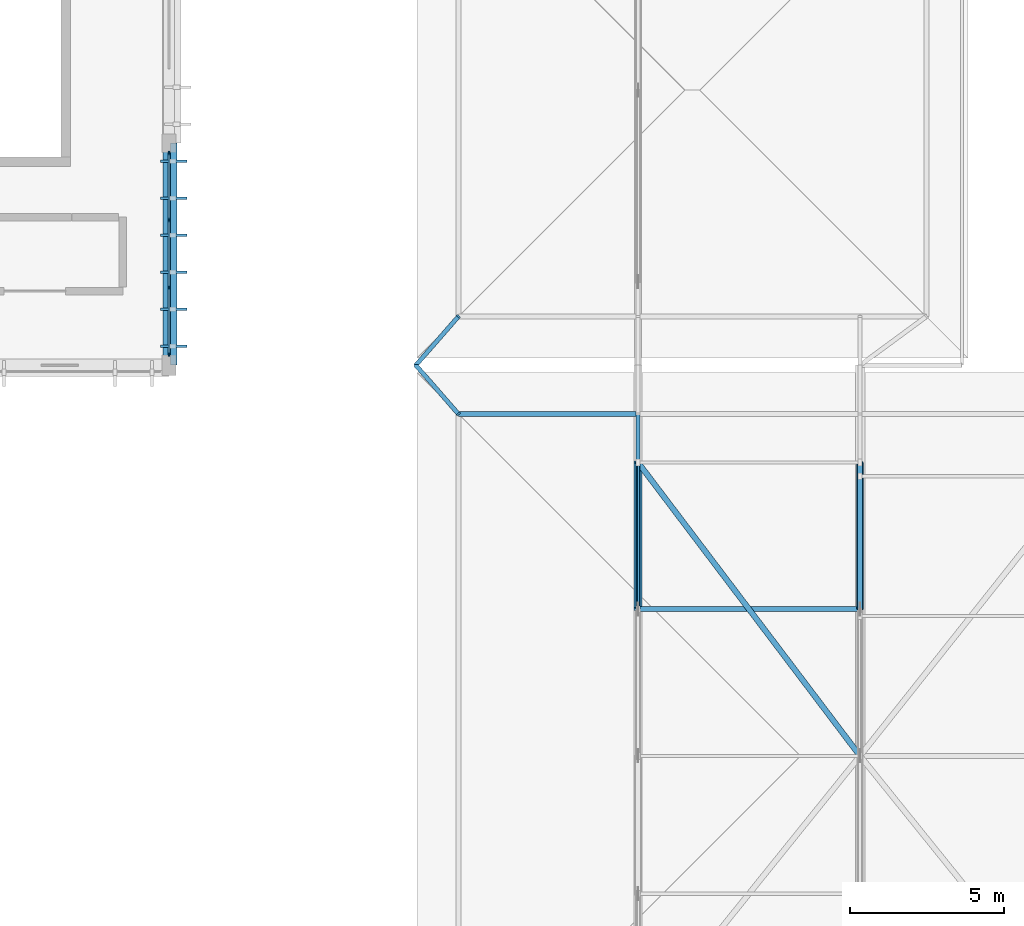
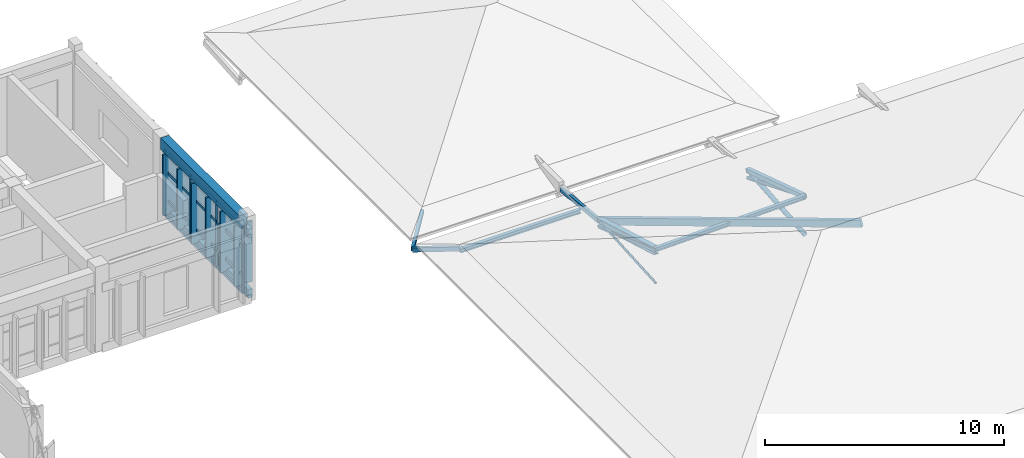
# One storey, part 7 of 19: 34 members, 3 beams, 1 element without a shape of its own.
"""IFC4 building model written with IfcOpenShell, lengths in metres."""

from ifc_helpers import new_model, si_unit, direction, frame, origin, origin_2d, place, context, subcontext, project, spatial, rectangle, hollow_rectangle, hollow_circle, i_section, extrude, material, material_profile, profile_set, type_object, element, aggregate, save


model = new_model("IFC4")

# Units and contexts
model_context = context("Model", 3, precision=1e-05, world=origin(), true_north=direction((0.0, 1.0)))
body_context = subcontext(model_context, "Body", "Model", "MODEL_VIEW")
ifc_project = project(units=[si_unit("LENGTHUNIT", "METRE"), si_unit("AREAUNIT", "SQUARE_METRE"), si_unit("VOLUMEUNIT", "CUBIC_METRE"), si_unit("PLANEANGLEUNIT", "RADIAN"), si_unit("MASSUNIT", "GRAM", prefix="KILO")], contexts=[model_context])

# Site, building, storey
site_placement = place(None, origin())
site = spatial("IfcSite", under=ifc_project, at=site_placement, CompositionType="ELEMENT")
building_placement = place(site_placement, origin())
building = spatial("IfcBuilding", under=site, at=building_placement, Name="Steenspoor Specialist Clinic", CompositionType="ELEMENT")
storey_placement = place(building_placement, frame((0.0, 0.0, 21.60009765625)))
storey = spatial("IfcBuildingStorey", under=building, at=storey_placement, Name="L05", CompositionType="ELEMENT", Elevation=21.60009765625)

# Beams
ifc_material_1 = material(Name="Glulam GL28h", Category="wood")
ifc_material_profile_1 = material_profile(ifc_material_1, rectangle(XDim=0.199951171875, YDim=0.43994140625, at=origin_2d()), Name="GL28H-200X440")
ifc_profile_set_1 = profile_set([ifc_material_profile_1], Name="Glulam GL28h")
beam_type_1 = type_object("IfcBeamType", Name="BM-GL-200X440", PredefinedType="BEAM", material=ifc_profile_set_1)
for number, where, z_axis, x_axis, name in (
    (1, (110.14990234375, 101.14990234375, 0.139892578125), (0.0, -1.0, 0.0), (1.0, 0.0, 0.0), "Timber Screen Tie Rail V4 L05 142"),
    (2, (110.14990234375, 101.14990234375, 3.22998046875), (0.0, -1.0, 0.0), (1.0, 0.0, 0.0), "Timber Screen Tie Rail V4 L05 143"),
):
    element("IfcBeam", number, at=place(storey_placement, frame(where, z_axis=z_axis, x_axis=x_axis)), inside=storey, type_object=beam_type_1, Name=name, PredefinedType="BEAM", context=body_context, shape_type="SweptSolid", body=[
        extrude(rectangle(XDim=0.199951171875, YDim=0.43994140625, at=origin_2d()), origin(), (0.0, 0.0, 1.0), 7.199951171875),
    ])
ifc_material_2 = material(Name="Concrete C35/45", Category="concrete")
ifc_material_profile_2 = material_profile(ifc_material_2, rectangle(XDim=0.39990234375, YDim=0.580078125, at=origin_2d()), Name="RC-BM-400X580")
ifc_profile_set_2 = profile_set([ifc_material_profile_2], Name="Concrete C35/45")
beam_type_2 = type_object("IfcBeamType", Name="BM-RC-400X580", PredefinedType="BEAM", material=ifc_profile_set_2)
beam_placement = place(storey_placement, frame((110.0, 94.27001953125, 3.744873046875), z_axis=(0.0, 1.0, 0.0), x_axis=(-1.0, 0.0, 0.0)))
element("IfcBeam", 3, at=beam_placement, inside=storey, type_object=beam_type_2, Name="BM-V4-L05-Y1050", PredefinedType="BEAM", context=body_context, shape_type="SweptSolid", body=[
    extrude(rectangle(XDim=0.39990234375, YDim=0.580078125, at=origin_2d()), origin(), (0.0, 0.0, 1.0), 6.5849609375),
])

# Curtain wall, members
ifc_material_3 = material(Name="Thermally broken aluminium and low-emissivity glass", Category="aluminium")
curtain_wall_type = type_object("IfcCurtainWallType", Name="CW-TYP-240X355", PredefinedType="USERDEFINED", material=ifc_material_3)
curtain_wall_placement = place(storey_placement, origin())
curtain_wall = element("IfcCurtainWall", 4, at=curtain_wall_placement, inside=storey, type_object=curtain_wall_type, Name="Unitised Curtain Wall CW-V4-L05-136", ObjectType="UNITISED GLAZING", PredefinedType="USERDEFINED")
ifc_material_4 = material(Name="Thermally broken aluminium 6063-T6", Category="aluminium")
ifc_material_profile_3 = material_profile(ifc_material_4, rectangle(XDim=0.06005859375, YDim=0.135009765625, at=origin_2d()), Name="CWM-60X135")
ifc_profile_set_3 = profile_set([ifc_material_profile_3], Name="Thermally broken aluminium 6063-T6")
member_type_1 = type_object("IfcMemberType", Name="CW-MULL-60X135", PredefinedType="MULLION", material=ifc_profile_set_3)
member_1_placement = place(storey_placement, frame((110.0, 100.820068359375, 0.0), z_axis=(0.0, 0.0, 1.0), x_axis=(1.0, 0.0, 0.0)))
member_1 = element("IfcMember", 5, at=member_1_placement, type_object=member_type_1, Name="CW-16 mullion 1", PredefinedType="MULLION", context=body_context, shape_type="SweptSolid", body=[
    extrude(rectangle(XDim=0.06005859375, YDim=0.135009765625, at=origin_2d()), origin(), (0.0, 0.0, 1.0), 3.3798828125),
])
member_2_placement = place(storey_placement, frame((110.0, 98.658447265625, 0.0), z_axis=(0.0, 0.0, 1.0), x_axis=(1.0, 0.0, 0.0)))
member_2 = element("IfcMember", 6, at=member_2_placement, type_object=member_type_1, Name="CW-16 mullion 2", PredefinedType="MULLION", context=body_context, shape_type="SweptSolid", body=[
    extrude(rectangle(XDim=0.06005859375, YDim=0.135009765625, at=origin_2d()), origin(), (0.0, 0.0, 1.0), 3.3798828125),
])
member_3_placement = place(storey_placement, frame((110.0, 96.466552734375, 0.0), z_axis=(0.0, 0.0, 1.0), x_axis=(1.0, 0.0, 0.0)))
member_3 = element("IfcMember", 7, at=member_3_placement, type_object=member_type_1, Name="CW-16 mullion 3", PredefinedType="MULLION", context=body_context, shape_type="SweptSolid", body=[
    extrude(rectangle(XDim=0.06005859375, YDim=0.135009765625, at=origin_2d()), origin(), (0.0, 0.0, 1.0), 3.3798828125),
])
member_4_placement = place(storey_placement, frame((110.0, 94.304931640625, 0.0), z_axis=(0.0, 0.0, 1.0), x_axis=(1.0, 0.0, 0.0)))
member_4 = element("IfcMember", 8, at=member_4_placement, type_object=member_type_1, Name="CW-16 mullion 4", PredefinedType="MULLION", context=body_context, shape_type="SweptSolid", body=[
    extrude(rectangle(XDim=0.06005859375, YDim=0.135009765625, at=origin_2d()), origin(), (0.0, 0.0, 1.0), 3.3798828125),
])
ifc_material_profile_4 = material_profile(ifc_material_4, rectangle(XDim=0.070068359375, YDim=0.14501953125, at=origin_2d()), Name="CWT-70X145")
ifc_profile_set_4 = profile_set([ifc_material_profile_4], Name="Thermally broken aluminium 6063-T6")
member_type_2 = type_object("IfcMemberType", Name="CW-TRAN-70X145", PredefinedType="USERDEFINED", material=ifc_profile_set_4)
member_5_placement = place(storey_placement, frame((110.0, 100.7900390625, 0.034912109375), z_axis=(0.0, -1.0, 0.0), x_axis=(1.0, 0.0, 0.0)))
member_5 = element("IfcMember", 9, at=member_5_placement, type_object=member_type_2, Name="CW-16 transom 1.1", ObjectType="TRANSOM", PredefinedType="USERDEFINED", context=body_context, shape_type="SweptSolid", body=[
    extrude(rectangle(XDim=0.070068359375, YDim=0.14501953125, at=origin_2d()), origin(), (0.0, 0.0, 1.0), 2.101806640625),
])
member_6_placement = place(storey_placement, frame((110.0, 100.7900390625, 0.89990234375), z_axis=(0.0, -1.0, 0.0), x_axis=(1.0, 0.0, 0.0)))
member_6 = element("IfcMember", 10, at=member_6_placement, type_object=member_type_2, Name="CW-16 transom 1.2", ObjectType="TRANSOM", PredefinedType="USERDEFINED", context=body_context, shape_type="SweptSolid", body=[
    extrude(rectangle(XDim=0.070068359375, YDim=0.14501953125, at=origin_2d()), origin(), (0.0, 0.0, 1.0), 2.101806640625),
])
member_7_placement = place(storey_placement, frame((110.0, 100.7900390625, 2.349853515625), z_axis=(0.0, -1.0, 0.0), x_axis=(1.0, 0.0, 0.0)))
member_7 = element("IfcMember", 11, at=member_7_placement, type_object=member_type_2, Name="CW-16 transom 1.3", ObjectType="TRANSOM", PredefinedType="USERDEFINED", context=body_context, shape_type="SweptSolid", body=[
    extrude(rectangle(XDim=0.070068359375, YDim=0.14501953125, at=origin_2d()), origin(), (0.0, 0.0, 1.0), 2.101806640625),
])
member_8_placement = place(storey_placement, frame((110.0, 100.7900390625, 3.344970703125), z_axis=(0.0, -1.0, 0.0), x_axis=(1.0, 0.0, 0.0)))
member_8 = element("IfcMember", 12, at=member_8_placement, type_object=member_type_2, Name="CW-16 transom 1.4", ObjectType="TRANSOM", PredefinedType="USERDEFINED", context=body_context, shape_type="SweptSolid", body=[
    extrude(rectangle(XDim=0.070068359375, YDim=0.14501953125, at=origin_2d()), origin(), (0.0, 0.0, 1.0), 2.101806640625),
])
member_9_placement = place(storey_placement, frame((110.0, 98.62841796875, 0.034912109375), z_axis=(0.0, -1.0, 0.0), x_axis=(1.0, 0.0, 0.0)))
member_9 = element("IfcMember", 13, at=member_9_placement, type_object=member_type_2, Name="CW-16 transom 2.1", ObjectType="TRANSOM", PredefinedType="USERDEFINED", context=body_context, shape_type="SweptSolid", body=[
    extrude(rectangle(XDim=0.070068359375, YDim=0.14501953125, at=origin_2d()), origin(), (0.0, 0.0, 1.0), 2.1318359375),
])
member_10_placement = place(storey_placement, frame((110.0, 98.62841796875, 0.89990234375), z_axis=(0.0, -1.0, 0.0), x_axis=(1.0, 0.0, 0.0)))
member_10 = element("IfcMember", 14, at=member_10_placement, type_object=member_type_2, Name="CW-16 transom 2.2", ObjectType="TRANSOM", PredefinedType="USERDEFINED", context=body_context, shape_type="SweptSolid", body=[
    extrude(rectangle(XDim=0.070068359375, YDim=0.14501953125, at=origin_2d()), origin(), (0.0, 0.0, 1.0), 2.1318359375),
])
member_11_placement = place(storey_placement, frame((110.0, 98.62841796875, 2.349853515625), z_axis=(0.0, -1.0, 0.0), x_axis=(1.0, 0.0, 0.0)))
member_11 = element("IfcMember", 15, at=member_11_placement, type_object=member_type_2, Name="CW-16 transom 2.3", ObjectType="TRANSOM", PredefinedType="USERDEFINED", context=body_context, shape_type="SweptSolid", body=[
    extrude(rectangle(XDim=0.070068359375, YDim=0.14501953125, at=origin_2d()), origin(), (0.0, 0.0, 1.0), 2.1318359375),
])
member_12_placement = place(storey_placement, frame((110.0, 98.62841796875, 3.344970703125), z_axis=(0.0, -1.0, 0.0), x_axis=(1.0, 0.0, 0.0)))
member_12 = element("IfcMember", 16, at=member_12_placement, type_object=member_type_2, Name="CW-16 transom 2.4", ObjectType="TRANSOM", PredefinedType="USERDEFINED", context=body_context, shape_type="SweptSolid", body=[
    extrude(rectangle(XDim=0.070068359375, YDim=0.14501953125, at=origin_2d()), origin(), (0.0, 0.0, 1.0), 2.1318359375),
])
member_13_placement = place(storey_placement, frame((110.0, 96.436767578125, 0.034912109375), z_axis=(0.0, -1.0, 0.0), x_axis=(1.0, 0.0, 0.0)))
member_13 = element("IfcMember", 17, at=member_13_placement, type_object=member_type_2, Name="CW-16 transom 3.1", ObjectType="TRANSOM", PredefinedType="USERDEFINED", context=body_context, shape_type="SweptSolid", body=[
    extrude(rectangle(XDim=0.070068359375, YDim=0.14501953125, at=origin_2d()), origin(), (0.0, 0.0, 1.0), 2.101806640625),
])
member_14_placement = place(storey_placement, frame((110.0, 96.436767578125, 0.89990234375), z_axis=(0.0, -1.0, 0.0), x_axis=(1.0, 0.0, 0.0)))
member_14 = element("IfcMember", 18, at=member_14_placement, type_object=member_type_2, Name="CW-16 transom 3.2", ObjectType="TRANSOM", PredefinedType="USERDEFINED", context=body_context, shape_type="SweptSolid", body=[
    extrude(rectangle(XDim=0.070068359375, YDim=0.14501953125, at=origin_2d()), origin(), (0.0, 0.0, 1.0), 2.101806640625),
])
member_15_placement = place(storey_placement, frame((110.0, 96.436767578125, 2.349853515625), z_axis=(0.0, -1.0, 0.0), x_axis=(1.0, 0.0, 0.0)))
member_15 = element("IfcMember", 19, at=member_15_placement, type_object=member_type_2, Name="CW-16 transom 3.3", ObjectType="TRANSOM", PredefinedType="USERDEFINED", context=body_context, shape_type="SweptSolid", body=[
    extrude(rectangle(XDim=0.070068359375, YDim=0.14501953125, at=origin_2d()), origin(), (0.0, 0.0, 1.0), 2.101806640625),
])
member_16_placement = place(storey_placement, frame((110.0, 96.436767578125, 3.344970703125), z_axis=(0.0, -1.0, 0.0), x_axis=(1.0, 0.0, 0.0)))
member_16 = element("IfcMember", 20, at=member_16_placement, type_object=member_type_2, Name="CW-16 transom 3.4", ObjectType="TRANSOM", PredefinedType="USERDEFINED", context=body_context, shape_type="SweptSolid", body=[
    extrude(rectangle(XDim=0.070068359375, YDim=0.14501953125, at=origin_2d()), origin(), (0.0, 0.0, 1.0), 2.101806640625),
])
aggregate(curtain_wall, [member_1, member_2, member_3, member_4, member_5, member_6, member_7, member_8, member_9, member_10, member_11, member_12, member_13, member_14, member_15, member_16])

# Members
ifc_material_5 = material(Name="Steel A500 Grade C", Category="steel")
ifc_material_profile_5 = material_profile(ifc_material_5, hollow_circle(Radius=0.084228515625, WallThickness=0.007080078125, at=origin_2d()), Name="CHS168X7.1")
ifc_profile_set_5 = profile_set([ifc_material_profile_5], Name="Steel A500 Grade C")
member_type_3 = type_object("IfcMemberType", Name="MEM-BRACE-CHS168", PredefinedType="BRACE", material=ifc_profile_set_5)
member_17_placement = place(storey_placement, frame((132.39990234375, 86.04248046875, 2.111328125), z_axis=(0.0, 0.926144629788, -0.377168562734), x_axis=(-1.0, 0.0, 0.0)))
element("IfcMember", 21, at=member_17_placement, inside=storey, type_object=member_type_3, Name="ROOF TRUSS Web Brace V6 3.4", PredefinedType="BRACE", context=body_context, shape_type="SweptSolid", body=[
    extrude(hollow_circle(Radius=0.084228515625, WallThickness=0.007080078125, at=origin_2d()), origin(), (0.0, 0.0, 1.0), 5.136962890625),
])
ifc_material_profile_6 = material_profile(ifc_material_5, hollow_rectangle(XDim=0.126953125, YDim=0.126953125, WallThickness=0.005859375, at=origin_2d()), Name="HSS127X127X6.4")
ifc_profile_set_6 = profile_set([ifc_material_profile_6], Name="Steel A500 Grade C")
member_type_4 = type_object("IfcMemberType", Name="MEM-BRACE-H127B", PredefinedType="BRACE", material=ifc_profile_set_6)
member_18_placement = place(storey_placement, frame((125.199951171875, 86.04248046875, 1.8720703125), z_axis=(0.0, 0.943517420989, -0.33132291845), x_axis=(-1.0, 0.0, 0.0)))
element("IfcMember", 22, at=member_18_placement, inside=storey, type_object=member_type_4, Name="ROOF TRUSS Web Brace V6 2.4", PredefinedType="BRACE", context=body_context, shape_type="SweptSolid", body=[
    extrude(hollow_rectangle(XDim=0.126953125, YDim=0.126953125, WallThickness=0.005859375, at=origin_2d()), origin(), (0.0, 0.0, 1.0), 5.04248046875),
])
ifc_material_profile_7 = material_profile(ifc_material_5, hollow_rectangle(XDim=0.203125, YDim=0.203125, WallThickness=0.01171875, at=origin_2d()), Name="HSS203X203X12.7")
ifc_profile_set_7 = profile_set([ifc_material_profile_7], Name="Steel A500 Grade C")
member_type_5 = type_object("IfcMemberType", Name="MEM-CHORD-H203", PredefinedType="CHORD", material=ifc_profile_set_7)
member_19_placement = place(storey_placement, frame((132.39990234375, 86.04248046875, 2.111328125), z_axis=(0.0, 0.95200975227, -0.306067691177), x_axis=(-1.0, 0.0, 0.0)))
element("IfcMember", 23, at=member_19_placement, inside=storey, type_object=member_type_5, Name="ROOF TRUSS Top Chord V6 3.4", PredefinedType="CHORD", context=body_context, shape_type="SweptSolid", body=[
    extrude(hollow_rectangle(XDim=0.203125, YDim=0.203125, WallThickness=0.01171875, at=origin_2d()), origin(), (0.0, 0.0, 1.0), 4.997314453125),
])
ifc_material_6 = material(Name="Steel A992 Grade 50", Category="steel")
ifc_material_profile_8 = material_profile(ifc_material_6, i_section(OverallWidth=0.257080078125, OverallDepth=0.363037109375, WebThickness=0.012939453125, FlangeThickness=0.021728515625, at=origin_2d()), Name="W360X122")
ifc_profile_set_8 = profile_set([ifc_material_profile_8], Name="Steel A992 Grade 50")
member_type_6 = type_object("IfcMemberType", Name="MEM-CHORD-W360", PredefinedType="CHORD", material=ifc_profile_set_8)
member_20_placement = place(storey_placement, frame((125.199951171875, 86.04248046875, 1.8720703125), z_axis=(0.0, 0.961154556997, -0.276010720016), x_axis=(-1.0, 0.0, 0.0)))
element("IfcMember", 24, at=member_20_placement, inside=storey, type_object=member_type_6, Name="ROOF TRUSS Top Chord V6 2.4", PredefinedType="CHORD", context=body_context, shape_type="SweptSolid", body=[
    extrude(i_section(OverallWidth=0.257080078125, OverallDepth=0.363037109375, WebThickness=0.012939453125, FlangeThickness=0.021728515625, at=origin_2d()), origin(), (0.0, 0.0, 1.0), 4.949951171875),
])
ifc_material_profile_9 = material_profile(ifc_material_6, i_section(OverallWidth=0.1650390625, OverallDepth=0.200927734375, WebThickness=0.006103515625, FlangeThickness=0.01025390625, at=origin_2d()), Name="W200X36")
ifc_profile_set_9 = profile_set([ifc_material_profile_9], Name="Steel A992 Grade 50")
member_type_7 = type_object("IfcMemberType", Name="MEM-PURLIN-W200", PredefinedType="PURLIN", material=ifc_profile_set_9)
member_21_placement = place(storey_placement, frame((119.3798828125, 92.3701171875, 0.075439453125), z_axis=(1.0, 0.0, 0.0), x_axis=(0.0, 1.0, 0.0)))
element("IfcMember", 25, at=member_21_placement, inside=storey, type_object=member_type_7, Name="ROOF TRUSS Knuckle Purlin 524", PredefinedType="PURLIN", context=body_context, shape_type="SweptSolid", body=[
    extrude(i_section(OverallWidth=0.1650390625, OverallDepth=0.200927734375, WebThickness=0.006103515625, FlangeThickness=0.01025390625, at=origin_2d()), origin(), (0.0, 0.0, 1.0), 5.820068359375),
])
member_22_placement = place(storey_placement, frame((125.199951171875, 86.04248046875, 1.9443359375), z_axis=(0.999743565264, 0.0, 0.022645169767), x_axis=(0.0, 1.0, 0.0)))
element("IfcMember", 26, at=member_22_placement, inside=storey, type_object=member_type_7, Name="ROOF TRUSS Purlin 540", PredefinedType="PURLIN", context=body_context, shape_type="SweptSolid", body=[
    extrude(i_section(OverallWidth=0.1650390625, OverallDepth=0.200927734375, WebThickness=0.006103515625, FlangeThickness=0.01025390625, at=origin_2d()), origin(), (0.0, 0.0, 1.0), 7.201904296875),
])
ifc_material_profile_10 = material_profile(ifc_material_1, rectangle(XDim=0.139892578125, YDim=0.219970703125, at=origin_2d()), Name="GL28H-140X220")
ifc_profile_set_10 = profile_set([ifc_material_profile_10], Name="Glulam GL28h")
member_type_8 = type_object("IfcMemberType", Name="MEM-RAFTER-GL220", PredefinedType="RAFTER", material=ifc_profile_set_10)
member_23_placement = place(storey_placement, frame((118.0, 93.949951171875, -0.344482421875), z_axis=(0.638438681267, -0.730951292724, 0.241052396642), x_axis=(0.753160409297, 0.657836908259, 0.0)))
element("IfcMember", 27, at=member_23_placement, inside=storey, type_object=member_type_8, Name="ROOF TRUSS Corner Knuckle Rafter V6 369", PredefinedType="RAFTER", context=body_context, shape_type="SweptSolid", body=[
    extrude(rectangle(XDim=0.139892578125, YDim=0.219970703125, at=origin_2d()), origin(), (0.0, 0.0, 1.0), 2.161376953125),
])
member_24_placement = place(storey_placement, frame((125.199951171875, 93.949951171875, 0.201416015625), z_axis=(0.0, -0.995361697703, 0.096203382192), x_axis=(1.0, 0.0, 0.0)))
element("IfcMember", 28, at=member_24_placement, inside=storey, type_object=member_type_8, Name="ROOF TRUSS Heel Strut V6 N 2", PredefinedType="RAFTER", context=body_context, shape_type="SweptSolid", body=[
    extrude(rectangle(XDim=0.139892578125, YDim=0.219970703125, at=origin_2d()), origin(), (0.0, 0.0, 1.0), 3.16455078125),
])
member_25_placement = place(storey_placement, frame((118.0, 93.949951171875, -0.351318359375), z_axis=(0.637896711228, 0.730443650931, 0.244007906878), x_axis=(-0.753210770425, 0.657779245124, 0.0)))
element("IfcMember", 29, at=member_25_placement, inside=storey, type_object=member_type_8, Name="ROOF TRUSS Corner Knuckle Rafter V6N 384", PredefinedType="RAFTER", context=body_context, shape_type="SweptSolid", body=[
    extrude(rectangle(XDim=0.139892578125, YDim=0.219970703125, at=origin_2d()), origin(), (0.0, 0.0, 1.0), 2.1630859375),
])
ifc_material_profile_11 = material_profile(ifc_material_1, rectangle(XDim=0.179931640625, YDim=0.360107421875, at=origin_2d()), Name="GL28H-180X360")
ifc_profile_set_11 = profile_set([ifc_material_profile_11], Name="Glulam GL28h")
member_type_9 = type_object("IfcMemberType", Name="MEM-RAFTER-GL360", PredefinedType="RAFTER", material=ifc_profile_set_11)
member_26_placement = place(storey_placement, frame((125.199951171875, 90.800048828125, 0.505859375), z_axis=(0.583601891108, -0.771262422571, 0.254092715806), x_axis=(0.797434324545, 0.603405749093, 0.0)))
element("IfcMember", 30, at=member_26_placement, inside=storey, type_object=member_type_9, Name="ROOF TRUSS Hip Rafter V6 548", PredefinedType="RAFTER", context=body_context, shape_type="SweptSolid", body=[
    extrude(rectangle(XDim=0.179931640625, YDim=0.360107421875, at=origin_2d()), origin(), (0.0, 0.0, 1.0), 12.337158203125),
])
ifc_material_profile_12 = material_profile(ifc_material_1, rectangle(XDim=0.090087890625, YDim=0.85009765625, at=origin_2d()), Name="GL28H-90X850")
ifc_profile_set_12 = profile_set([ifc_material_profile_12], Name="Glulam GL28h")
member_type_10 = type_object("IfcMemberType", Name="MEM-SCREEN-GL850", PredefinedType="STRUT", material=ifc_profile_set_12)
for number, where, z_axis, x_axis, name in (
    (31, (110.14990234375, 100.5625, 0.27001953125), (0.0, 0.0, 1.0), (0.0, -1.0, 0.0), "Glulam Timber Screen Fin SCR-FIN-V4-L05-0144"),
    (32, (110.14990234375, 99.362548828125, 0.27001953125), (0.0, 0.0, 1.0), (0.0, -1.0, 0.0), "Glulam Timber Screen Fin SCR-FIN-V4-L05-0145"),
    (33, (110.14990234375, 98.16259765625, 0.27001953125), (0.0, 0.0, 1.0), (0.0, -1.0, 0.0), "Glulam Timber Screen Fin SCR-FIN-V4-L05-0146"),
    (34, (110.14990234375, 96.96240234375, 0.27001953125), (0.0, 0.0, 1.0), (0.0, -1.0, 0.0), "Glulam Timber Screen Fin SCR-FIN-V4-L05-0147"),
    (35, (110.14990234375, 95.762451171875, 0.27001953125), (0.0, 0.0, 1.0), (0.0, -1.0, 0.0), "Glulam Timber Screen Fin SCR-FIN-V4-L05-0148"),
    (36, (110.14990234375, 94.5625, 0.27001953125), (0.0, 0.0, 1.0), (0.0, -1.0, 0.0), "Glulam Timber Screen Fin SCR-FIN-V4-L05-0149"),
):
    element("IfcMember", number, at=place(storey_placement, frame(where, z_axis=z_axis, x_axis=x_axis)), inside=storey, type_object=member_type_10, Name=name, PredefinedType="STRUT", context=body_context, shape_type="SweptSolid", body=[
        extrude(rectangle(XDim=0.090087890625, YDim=0.85009765625, at=origin_2d()), origin(), (0.0, 0.0, 1.0), 3.099853515625),
    ])
ifc_material_profile_13 = material_profile(ifc_material_5, hollow_circle(Radius=0.05712890625, WallThickness=0.006103515625, at=origin_2d()), Name="CHS114X6.0")
ifc_profile_set_13 = profile_set([ifc_material_profile_13], Name="Steel A500 Grade C")
member_type_11 = type_object("IfcMemberType", Name="MEM-STRUT-CHS114", PredefinedType="STRUT", material=ifc_profile_set_13)
member_27_placement = place(storey_placement, frame((125.199951171875, 86.04248046875, 0.201416015625), z_axis=(0.0, 0.997958818401, 0.063860760843), x_axis=(-1.0, 0.0, 0.0)))
element("IfcMember", 37, at=member_27_placement, inside=storey, type_object=member_type_11, Name="ROOF TRUSS Web Strut V6 2.4", PredefinedType="STRUT", context=body_context, shape_type="SweptSolid", body=[
    extrude(hollow_circle(Radius=0.05712890625, WallThickness=0.006103515625, at=origin_2d()), origin(), (0.0, 0.0, 1.0), 4.767333984375),
])
ifc_material_profile_14 = material_profile(ifc_material_5, hollow_circle(Radius=0.109619140625, WallThickness=0.00830078125, at=origin_2d()), Name="CHS219X8.2")
ifc_profile_set_14 = profile_set([ifc_material_profile_14], Name="Steel A500 Grade C")
member_type_12 = type_object("IfcMemberType", Name="MEM-STRUT-CHS219", PredefinedType="STRUT", material=ifc_profile_set_14)
member_28_placement = place(storey_placement, frame((132.39990234375, 86.04248046875, 0.173828125), z_axis=(0.0, 0.99634366524, 0.085435945226), x_axis=(-1.0, 0.0, 0.0)))
element("IfcMember", 38, at=member_28_placement, inside=storey, type_object=member_type_12, Name="ROOF TRUSS Web Strut V6 3.4", PredefinedType="STRUT", context=body_context, shape_type="SweptSolid", body=[
    extrude(hollow_circle(Radius=0.109619140625, WallThickness=0.00830078125, at=origin_2d()), origin(), (0.0, 0.0, 1.0), 4.775146484375),
])

save(model, "model.ifc")
